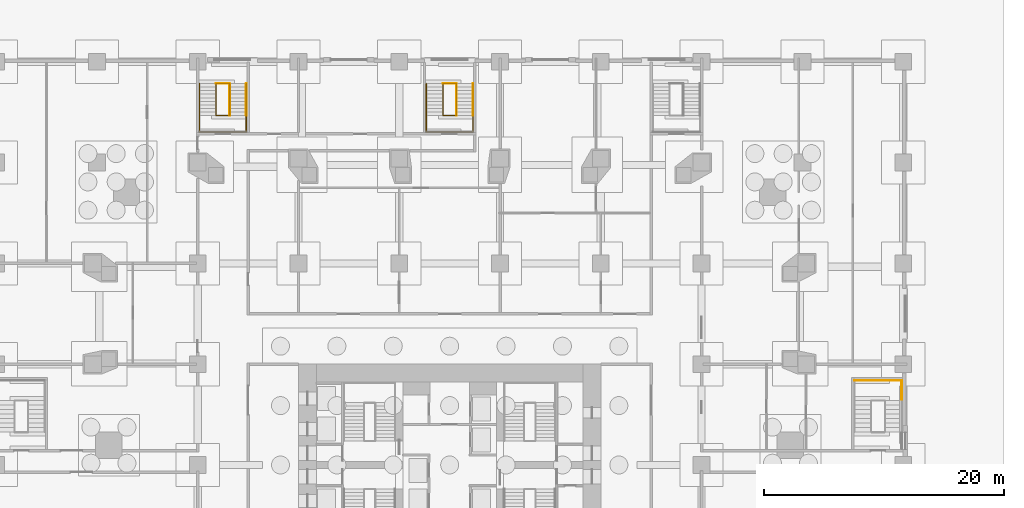
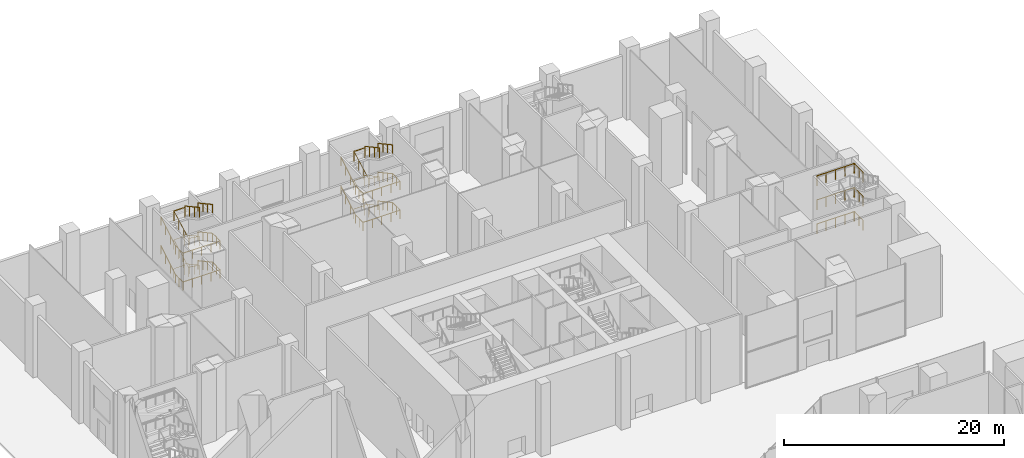
# One storey, part 29 of 31: 20 railings.
"""IFC4 building model written with IfcOpenShell, lengths in metres."""

from ifc_helpers import new_model, si_unit, direction, frame, origin, origin_2d, place, context, subcontext, project, spatial, circle, extrude, material, type_object, element, save


model = new_model("IFC4")

# Units and contexts
model_context = context("Model", 3, precision=1e-05, world=origin(), true_north=direction((0.0, 1.0)))
body_context = subcontext(model_context, "Body", "Model", "MODEL_VIEW")
ifc_project = project(units=[si_unit("LENGTHUNIT", "METRE"), si_unit("AREAUNIT", "SQUARE_METRE"), si_unit("VOLUMEUNIT", "CUBIC_METRE"), si_unit("PLANEANGLEUNIT", "RADIAN"), si_unit("MASSUNIT", "GRAM", prefix="KILO")], contexts=[model_context])

# Site, building, storey
site_placement = place(None, origin())
site = spatial("IfcSite", under=ifc_project, at=site_placement, CompositionType="ELEMENT")
building_placement = place(site_placement, origin())
building = spatial("IfcBuilding", under=site, at=building_placement, Name="Marenta Gate Hotel Tower", CompositionType="ELEMENT")
storey_placement = place(building_placement, origin())
storey = spatial("IfcBuildingStorey", under=building, at=storey_placement, Name="L00", CompositionType="ELEMENT", Elevation=0.0)

# Railings
ifc_material_1 = material(Name="Stainless steel", Category="steel")
railing_type_1 = type_object("IfcRailingType", Name="Core stair handrail 950", PredefinedType="HANDRAIL", material=ifc_material_1)
railing_1_placement = place(storey_placement, frame((-16.949951171875, 40.18505859375, 0.159912109375)))
element("IfcRailing", 1, at=railing_1_placement, inside=storey, type_object=railing_type_1, Name="HR-950 L00-KR-PX3-2", PredefinedType="HANDRAIL", context=body_context, shape_type="SweptSolid", body=[
    extrude(circle(Radius=0.02392578125, at=origin_2d()), frame((0.0, 0.0, 0.92578125), z_axis=(0.0, -0.879008314826, 0.476806441302), x_axis=(1.0, 0.0, 0.0)), (0.0, 0.0, 1.0), 3.0205078125),
    extrude(circle(Radius=0.02392578125, at=origin_2d()), frame((0.0, -2.655029296875, 2.3662109375), z_axis=(0.0, -1.0, 0.0), x_axis=(1.0, 0.0, 0.0)), (0.0, 0.0, 1.0), 1.380126953125),
    extrude(circle(Radius=0.02392578125, at=origin_2d()), frame((0.0, -4.03515625, 2.3662109375), z_axis=(-1.0, 0.0, 0.0), x_axis=(0.0, -1.0, 0.0)), (0.0, 0.0, 1.0), 3.900146484375),
    extrude(circle(Radius=0.02392578125, at=origin_2d()), frame((-3.900146484375, -4.03515625, 2.3662109375), z_axis=(0.0, 1.0, 0.0), x_axis=(-1.0, 0.0, 0.0)), (0.0, 0.0, 1.0), 1.380126953125),
    extrude(circle(Radius=0.02392578125, at=origin_2d()), frame((-3.900146484375, -2.655029296875, 2.3662109375), z_axis=(0.0, 0.856518470943, 0.516116371503), x_axis=(-1.0, 0.0, 0.0)), (0.0, 0.0, 1.0), 3.099853515625),
    extrude(circle(Radius=0.02099609375, at=origin_2d()), origin(), (0.0, 0.0, 1.0), 0.90185546875),
    extrude(circle(Radius=0.02099609375, at=origin_2d()), frame((0.0, -0.885009765625, 0.47998046875)), (0.0, 0.0, 1.0), 0.90185546875),
    extrude(circle(Radius=0.02099609375, at=origin_2d()), frame((0.0, -1.77001953125, 0.960205078125)), (0.0, 0.0, 1.0), 0.90185546875),
    extrude(circle(Radius=0.02099609375, at=origin_2d()), frame((0.0, -2.655029296875, 1.440185546875)), (0.0, 0.0, 1.0), 0.90185546875),
    extrude(circle(Radius=0.02099609375, at=origin_2d()), frame((0.0, -3.34521484375, 1.440185546875)), (0.0, 0.0, 1.0), 0.90185546875),
    extrude(circle(Radius=0.02099609375, at=origin_2d()), frame((0.0, -4.03515625, 1.440185546875)), (0.0, 0.0, 1.0), 0.90185546875),
    extrude(circle(Radius=0.02099609375, at=origin_2d()), frame((-0.97509765625, -4.03515625, 1.440185546875)), (0.0, 0.0, 1.0), 0.90185546875),
    extrude(circle(Radius=0.02099609375, at=origin_2d()), frame((-1.9501953125, -4.03515625, 1.440185546875)), (0.0, 0.0, 1.0), 0.90185546875),
    extrude(circle(Radius=0.02099609375, at=origin_2d()), frame((-2.925048828125, -4.03515625, 1.440185546875)), (0.0, 0.0, 1.0), 0.90185546875),
    extrude(circle(Radius=0.02099609375, at=origin_2d()), frame((-3.900146484375, -4.03515625, 1.440185546875)), (0.0, 0.0, 1.0), 0.90185546875),
    extrude(circle(Radius=0.02099609375, at=origin_2d()), frame((-3.900146484375, -3.34521484375, 1.440185546875)), (0.0, 0.0, 1.0), 0.90185546875),
    extrude(circle(Radius=0.02099609375, at=origin_2d()), frame((-3.900146484375, -2.655029296875, 1.440185546875)), (0.0, 0.0, 1.0), 0.90185546875),
    extrude(circle(Radius=0.02099609375, at=origin_2d()), frame((-3.900146484375, -1.77001953125, 1.973388671875)), (0.0, 0.0, 1.0), 0.90185546875),
    extrude(circle(Radius=0.02099609375, at=origin_2d()), frame((-3.900146484375, -0.885009765625, 2.5068359375)), (0.0, 0.0, 1.0), 0.90185546875),
    extrude(circle(Radius=0.02099609375, at=origin_2d()), frame((-3.900146484375, 0.0, 3.0400390625)), (0.0, 0.0, 1.0), 0.90185546875),
])
railing_2_placement = place(storey_placement, frame((-16.949951171875, 40.18505859375, 3.360107421875)))
element("IfcRailing", 2, at=railing_2_placement, inside=storey, type_object=railing_type_1, Name="HR-950 L00-KR-PX3-5", PredefinedType="HANDRAIL", context=body_context, shape_type="SweptSolid", body=[
    extrude(circle(Radius=0.02392578125, at=origin_2d()), frame((0.0, 0.0, 0.92578125), z_axis=(0.0, -0.879042190435, 0.476743985212), x_axis=(1.0, 0.0, 0.0)), (0.0, 0.0, 1.0), 3.020263671875),
    extrude(circle(Radius=0.02392578125, at=origin_2d()), frame((0.0, -2.655029296875, 2.36572265625), z_axis=(0.0, -1.0, 0.0), x_axis=(1.0, 0.0, 0.0)), (0.0, 0.0, 1.0), 1.380126953125),
    extrude(circle(Radius=0.02392578125, at=origin_2d()), frame((0.0, -4.03515625, 2.36572265625), z_axis=(-1.0, 0.0, 0.0), x_axis=(0.0, -1.0, 0.0)), (0.0, 0.0, 1.0), 3.900146484375),
    extrude(circle(Radius=0.02392578125, at=origin_2d()), frame((-3.900146484375, -4.03515625, 2.36572265625), z_axis=(0.0, 1.0, 0.0), x_axis=(-1.0, 0.0, 0.0)), (0.0, 0.0, 1.0), 1.380126953125),
    extrude(circle(Radius=0.02392578125, at=origin_2d()), frame((-3.900146484375, -2.655029296875, 2.36572265625), z_axis=(0.0, 0.856518470943, 0.516116371503), x_axis=(-1.0, 0.0, 0.0)), (0.0, 0.0, 1.0), 3.099853515625),
    extrude(circle(Radius=0.02099609375, at=origin_2d()), origin(), (0.0, 0.0, 1.0), 0.90185546875),
    extrude(circle(Radius=0.02099609375, at=origin_2d()), frame((0.0, -0.885009765625, 0.47998046875)), (0.0, 0.0, 1.0), 0.90185546875),
    extrude(circle(Radius=0.02099609375, at=origin_2d()), frame((0.0, -1.77001953125, 0.9599609375)), (0.0, 0.0, 1.0), 0.90185546875),
    extrude(circle(Radius=0.02099609375, at=origin_2d()), frame((0.0, -2.655029296875, 1.43994140625)), (0.0, 0.0, 1.0), 0.90185546875),
    extrude(circle(Radius=0.02099609375, at=origin_2d()), frame((0.0, -3.34521484375, 1.43994140625)), (0.0, 0.0, 1.0), 0.90185546875),
    extrude(circle(Radius=0.02099609375, at=origin_2d()), frame((0.0, -4.03515625, 1.43994140625)), (0.0, 0.0, 1.0), 0.90185546875),
    extrude(circle(Radius=0.02099609375, at=origin_2d()), frame((-0.97509765625, -4.03515625, 1.43994140625)), (0.0, 0.0, 1.0), 0.90185546875),
    extrude(circle(Radius=0.02099609375, at=origin_2d()), frame((-1.9501953125, -4.03515625, 1.43994140625)), (0.0, 0.0, 1.0), 0.90185546875),
    extrude(circle(Radius=0.02099609375, at=origin_2d()), frame((-2.925048828125, -4.03515625, 1.43994140625)), (0.0, 0.0, 1.0), 0.90185546875),
    extrude(circle(Radius=0.02099609375, at=origin_2d()), frame((-3.900146484375, -4.03515625, 1.43994140625)), (0.0, 0.0, 1.0), 0.90185546875),
    extrude(circle(Radius=0.02099609375, at=origin_2d()), frame((-3.900146484375, -3.34521484375, 1.43994140625)), (0.0, 0.0, 1.0), 0.90185546875),
    extrude(circle(Radius=0.02099609375, at=origin_2d()), frame((-3.900146484375, -2.655029296875, 1.43994140625)), (0.0, 0.0, 1.0), 0.90185546875),
    extrude(circle(Radius=0.02099609375, at=origin_2d()), frame((-3.900146484375, -1.77001953125, 1.97314453125)), (0.0, 0.0, 1.0), 0.90185546875),
    extrude(circle(Radius=0.02099609375, at=origin_2d()), frame((-3.900146484375, -0.885009765625, 2.506591796875)), (0.0, 0.0, 1.0), 0.90185546875),
    extrude(circle(Radius=0.02099609375, at=origin_2d()), frame((-3.900146484375, 0.0, 3.039794921875)), (0.0, 0.0, 1.0), 0.90185546875),
])
railing_3_placement = place(storey_placement, frame((-16.949951171875, 40.18505859375, 6.56005859375)))
element("IfcRailing", 3, at=railing_3_placement, inside=storey, type_object=railing_type_1, Name="HR-950 L00-KR-PX3-8", PredefinedType="HANDRAIL", context=body_context, shape_type="SweptSolid", body=[
    extrude(circle(Radius=0.02392578125, at=origin_2d()), frame((0.0, 0.0, 0.92578125), z_axis=(0.0, -0.879042190435, 0.476743985212), x_axis=(1.0, 0.0, 0.0)), (0.0, 0.0, 1.0), 3.020263671875),
    extrude(circle(Radius=0.02099609375, at=origin_2d()), origin(), (0.0, 0.0, 1.0), 0.90185546875),
    extrude(circle(Radius=0.02099609375, at=origin_2d()), frame((0.0, -0.885009765625, 0.47998046875)), (0.0, 0.0, 1.0), 0.90185546875),
    extrude(circle(Radius=0.02099609375, at=origin_2d()), frame((0.0, -1.77001953125, 0.9599609375)), (0.0, 0.0, 1.0), 0.90185546875),
    extrude(circle(Radius=0.02099609375, at=origin_2d()), frame((0.0, -2.655029296875, 1.43994140625)), (0.0, 0.0, 1.0), 0.90185546875),
])
railing_4_placement = place(storey_placement, frame((1.949951171875, 40.18505859375, 0.159912109375)))
element("IfcRailing", 4, at=railing_4_placement, inside=storey, type_object=railing_type_1, Name="HR-950 L00-KR-PX8-2", PredefinedType="HANDRAIL", context=body_context, shape_type="SweptSolid", body=[
    extrude(circle(Radius=0.02392578125, at=origin_2d()), frame((0.0, 0.0, 0.92578125), z_axis=(0.0, -0.879008314826, 0.476806441302), x_axis=(1.0, 0.0, 0.0)), (0.0, 0.0, 1.0), 3.0205078125),
    extrude(circle(Radius=0.02392578125, at=origin_2d()), frame((0.0, -2.655029296875, 2.3662109375), z_axis=(0.0, -1.0, 0.0), x_axis=(1.0, 0.0, 0.0)), (0.0, 0.0, 1.0), 1.380126953125),
    extrude(circle(Radius=0.02392578125, at=origin_2d()), frame((0.0, -4.03515625, 2.3662109375), z_axis=(-1.0, 0.0, 0.0), x_axis=(0.0, -1.0, 0.0)), (0.0, 0.0, 1.0), 3.89990234375),
    extrude(circle(Radius=0.02392578125, at=origin_2d()), frame((-3.89990234375, -4.03515625, 2.3662109375), z_axis=(0.0, 1.0, 0.0), x_axis=(-1.0, 0.0, 0.0)), (0.0, 0.0, 1.0), 1.380126953125),
    extrude(circle(Radius=0.02392578125, at=origin_2d()), frame((-3.89990234375, -2.655029296875, 2.3662109375), z_axis=(0.0, 0.856518470943, 0.516116371503), x_axis=(-1.0, 0.0, 0.0)), (0.0, 0.0, 1.0), 3.099853515625),
    extrude(circle(Radius=0.02099609375, at=origin_2d()), origin(), (0.0, 0.0, 1.0), 0.90185546875),
    extrude(circle(Radius=0.02099609375, at=origin_2d()), frame((0.0, -0.885009765625, 0.47998046875)), (0.0, 0.0, 1.0), 0.90185546875),
    extrude(circle(Radius=0.02099609375, at=origin_2d()), frame((0.0, -1.77001953125, 0.960205078125)), (0.0, 0.0, 1.0), 0.90185546875),
    extrude(circle(Radius=0.02099609375, at=origin_2d()), frame((0.0, -2.655029296875, 1.440185546875)), (0.0, 0.0, 1.0), 0.90185546875),
    extrude(circle(Radius=0.02099609375, at=origin_2d()), frame((0.0, -3.34521484375, 1.440185546875)), (0.0, 0.0, 1.0), 0.90185546875),
    extrude(circle(Radius=0.02099609375, at=origin_2d()), frame((0.0, -4.03515625, 1.440185546875)), (0.0, 0.0, 1.0), 0.90185546875),
    extrude(circle(Radius=0.02099609375, at=origin_2d()), frame((-0.97509765625, -4.03515625, 1.440185546875)), (0.0, 0.0, 1.0), 0.90185546875),
    extrude(circle(Radius=0.02099609375, at=origin_2d()), frame((-1.949951171875, -4.03515625, 1.440185546875)), (0.0, 0.0, 1.0), 0.90185546875),
    extrude(circle(Radius=0.02099609375, at=origin_2d()), frame((-2.9248046875, -4.03515625, 1.440185546875)), (0.0, 0.0, 1.0), 0.90185546875),
    extrude(circle(Radius=0.02099609375, at=origin_2d()), frame((-3.89990234375, -4.03515625, 1.440185546875)), (0.0, 0.0, 1.0), 0.90185546875),
    extrude(circle(Radius=0.02099609375, at=origin_2d()), frame((-3.89990234375, -3.34521484375, 1.440185546875)), (0.0, 0.0, 1.0), 0.90185546875),
    extrude(circle(Radius=0.02099609375, at=origin_2d()), frame((-3.89990234375, -2.655029296875, 1.440185546875)), (0.0, 0.0, 1.0), 0.90185546875),
    extrude(circle(Radius=0.02099609375, at=origin_2d()), frame((-3.89990234375, -1.77001953125, 1.973388671875)), (0.0, 0.0, 1.0), 0.90185546875),
    extrude(circle(Radius=0.02099609375, at=origin_2d()), frame((-3.89990234375, -0.885009765625, 2.5068359375)), (0.0, 0.0, 1.0), 0.90185546875),
    extrude(circle(Radius=0.02099609375, at=origin_2d()), frame((-3.89990234375, 0.0, 3.0400390625)), (0.0, 0.0, 1.0), 0.90185546875),
])
railing_5_placement = place(storey_placement, frame((1.949951171875, 40.18505859375, 3.360107421875)))
element("IfcRailing", 5, at=railing_5_placement, inside=storey, type_object=railing_type_1, Name="HR-950 L00-KR-PX8-5", PredefinedType="HANDRAIL", context=body_context, shape_type="SweptSolid", body=[
    extrude(circle(Radius=0.02392578125, at=origin_2d()), frame((0.0, 0.0, 0.92578125), z_axis=(0.0, -0.879042190435, 0.476743985212), x_axis=(1.0, 0.0, 0.0)), (0.0, 0.0, 1.0), 3.020263671875),
    extrude(circle(Radius=0.02392578125, at=origin_2d()), frame((0.0, -2.655029296875, 2.36572265625), z_axis=(0.0, -1.0, 0.0), x_axis=(1.0, 0.0, 0.0)), (0.0, 0.0, 1.0), 1.380126953125),
    extrude(circle(Radius=0.02392578125, at=origin_2d()), frame((0.0, -4.03515625, 2.36572265625), z_axis=(-1.0, 0.0, 0.0), x_axis=(0.0, -1.0, 0.0)), (0.0, 0.0, 1.0), 3.89990234375),
    extrude(circle(Radius=0.02392578125, at=origin_2d()), frame((-3.89990234375, -4.03515625, 2.36572265625), z_axis=(0.0, 1.0, 0.0), x_axis=(-1.0, 0.0, 0.0)), (0.0, 0.0, 1.0), 1.380126953125),
    extrude(circle(Radius=0.02392578125, at=origin_2d()), frame((-3.89990234375, -2.655029296875, 2.36572265625), z_axis=(0.0, 0.856518470943, 0.516116371503), x_axis=(-1.0, 0.0, 0.0)), (0.0, 0.0, 1.0), 3.099853515625),
    extrude(circle(Radius=0.02099609375, at=origin_2d()), origin(), (0.0, 0.0, 1.0), 0.90185546875),
    extrude(circle(Radius=0.02099609375, at=origin_2d()), frame((0.0, -0.885009765625, 0.47998046875)), (0.0, 0.0, 1.0), 0.90185546875),
    extrude(circle(Radius=0.02099609375, at=origin_2d()), frame((0.0, -1.77001953125, 0.9599609375)), (0.0, 0.0, 1.0), 0.90185546875),
    extrude(circle(Radius=0.02099609375, at=origin_2d()), frame((0.0, -2.655029296875, 1.43994140625)), (0.0, 0.0, 1.0), 0.90185546875),
    extrude(circle(Radius=0.02099609375, at=origin_2d()), frame((0.0, -3.34521484375, 1.43994140625)), (0.0, 0.0, 1.0), 0.90185546875),
    extrude(circle(Radius=0.02099609375, at=origin_2d()), frame((0.0, -4.03515625, 1.43994140625)), (0.0, 0.0, 1.0), 0.90185546875),
    extrude(circle(Radius=0.02099609375, at=origin_2d()), frame((-0.97509765625, -4.03515625, 1.43994140625)), (0.0, 0.0, 1.0), 0.90185546875),
    extrude(circle(Radius=0.02099609375, at=origin_2d()), frame((-1.949951171875, -4.03515625, 1.43994140625)), (0.0, 0.0, 1.0), 0.90185546875),
    extrude(circle(Radius=0.02099609375, at=origin_2d()), frame((-2.9248046875, -4.03515625, 1.43994140625)), (0.0, 0.0, 1.0), 0.90185546875),
    extrude(circle(Radius=0.02099609375, at=origin_2d()), frame((-3.89990234375, -4.03515625, 1.43994140625)), (0.0, 0.0, 1.0), 0.90185546875),
    extrude(circle(Radius=0.02099609375, at=origin_2d()), frame((-3.89990234375, -3.34521484375, 1.43994140625)), (0.0, 0.0, 1.0), 0.90185546875),
    extrude(circle(Radius=0.02099609375, at=origin_2d()), frame((-3.89990234375, -2.655029296875, 1.43994140625)), (0.0, 0.0, 1.0), 0.90185546875),
    extrude(circle(Radius=0.02099609375, at=origin_2d()), frame((-3.89990234375, -1.77001953125, 1.97314453125)), (0.0, 0.0, 1.0), 0.90185546875),
    extrude(circle(Radius=0.02099609375, at=origin_2d()), frame((-3.89990234375, -0.885009765625, 2.506591796875)), (0.0, 0.0, 1.0), 0.90185546875),
    extrude(circle(Radius=0.02099609375, at=origin_2d()), frame((-3.89990234375, 0.0, 3.039794921875)), (0.0, 0.0, 1.0), 0.90185546875),
])
railing_6_placement = place(storey_placement, frame((1.949951171875, 40.18505859375, 6.56005859375)))
element("IfcRailing", 6, at=railing_6_placement, inside=storey, type_object=railing_type_1, Name="HR-950 L00-KR-PX8-8", PredefinedType="HANDRAIL", context=body_context, shape_type="SweptSolid", body=[
    extrude(circle(Radius=0.02392578125, at=origin_2d()), frame((0.0, 0.0, 0.92578125), z_axis=(0.0, -0.879042190435, 0.476743985212), x_axis=(1.0, 0.0, 0.0)), (0.0, 0.0, 1.0), 3.020263671875),
    extrude(circle(Radius=0.02099609375, at=origin_2d()), origin(), (0.0, 0.0, 1.0), 0.90185546875),
    extrude(circle(Radius=0.02099609375, at=origin_2d()), frame((0.0, -0.885009765625, 0.47998046875)), (0.0, 0.0, 1.0), 0.90185546875),
    extrude(circle(Radius=0.02099609375, at=origin_2d()), frame((0.0, -1.77001953125, 0.9599609375)), (0.0, 0.0, 1.0), 0.90185546875),
    extrude(circle(Radius=0.02099609375, at=origin_2d()), frame((0.0, -2.655029296875, 1.43994140625)), (0.0, 0.0, 1.0), 0.90185546875),
])
ifc_material_2 = material(Name="Stainless steel", Category="steel")
railing_type_2 = type_object("IfcRailingType", Name="Core stair well guard 1100", PredefinedType="GUARDRAIL", material=ifc_material_2)
railing_7_placement = place(storey_placement, frame((-19.469970703125, 40.18505859375, 0.0)))
element("IfcRailing", 7, at=railing_7_placement, inside=storey, type_object=railing_type_2, Name="GR-1100 L00-KR-PX3-3", PredefinedType="GUARDRAIL", context=body_context, shape_type="SweptSolid", body=[
    extrude(circle(Radius=0.02392578125, at=origin_2d()), frame((0.0, 0.0, 1.076171875), z_axis=(1.0, 0.0, 0.0), x_axis=(0.0, 1.0, 0.0)), (0.0, 0.0, 1.0), 1.139892578125),
    extrude(circle(Radius=0.02392578125, at=origin_2d()), frame((1.139892578125, 0.0, 1.076171875), z_axis=(0.0, 0.0, 1.0), x_axis=(1.0, 0.0, 0.0)), (0.0, 0.0, 1.0), 0.159912109375),
    extrude(circle(Radius=0.02392578125, at=origin_2d()), frame((1.139892578125, 0.0, 1.23583984375), z_axis=(0.0, -0.879008314826, 0.476806441302), x_axis=(1.0, 0.0, 0.0)), (0.0, 0.0, 1.0), 3.0205078125),
    extrude(circle(Radius=0.02392578125, at=origin_2d()), frame((1.139892578125, -2.655029296875, 2.67626953125), z_axis=(-0.990302682069, 0.0, 0.138926591723), x_axis=(0.0, -1.0, 0.0)), (0.0, 0.0, 1.0), 1.151123046875),
    extrude(circle(Radius=0.02392578125, at=origin_2d()), frame((0.0, -2.655029296875, 2.8359375), z_axis=(0.0, 0.879042190435, 0.476743985212), x_axis=(-1.0, 0.0, 0.0)), (0.0, 0.0, 1.0), 3.020263671875),
    extrude(circle(Radius=0.02099609375, at=origin_2d()), origin(), (0.0, 0.0, 1.0), 1.052001953125),
    extrude(circle(Radius=0.02099609375, at=origin_2d()), frame((1.139892578125, 0.0, 0.0)), (0.0, 0.0, 1.0), 1.052001953125),
    extrude(circle(Radius=0.02099609375, at=origin_2d()), frame((1.139892578125, 0.0, 0.159912109375)), (0.0, 0.0, 1.0), 1.052001953125),
    extrude(circle(Radius=0.02099609375, at=origin_2d()), frame((1.139892578125, -0.885009765625, 0.639892578125)), (0.0, 0.0, 1.0), 1.052001953125),
    extrude(circle(Radius=0.02099609375, at=origin_2d()), frame((1.139892578125, -1.77001953125, 1.1201171875)), (0.0, 0.0, 1.0), 1.052001953125),
    extrude(circle(Radius=0.02099609375, at=origin_2d()), frame((1.139892578125, -2.655029296875, 1.60009765625)), (0.0, 0.0, 1.0), 1.052001953125),
    extrude(circle(Radius=0.02099609375, at=origin_2d()), frame((0.0, -2.655029296875, 1.760009765625)), (0.0, 0.0, 1.0), 1.052001953125),
    extrude(circle(Radius=0.02099609375, at=origin_2d()), frame((0.0, -1.77001953125, 2.239990234375)), (0.0, 0.0, 1.0), 1.052001953125),
    extrude(circle(Radius=0.02099609375, at=origin_2d()), frame((0.0, -0.885009765625, 2.719970703125)), (0.0, 0.0, 1.0), 1.052001953125),
    extrude(circle(Radius=0.02099609375, at=origin_2d()), frame((0.0, 0.0, 3.199951171875)), (0.0, 0.0, 1.0), 1.052001953125),
])
railing_8_placement = place(storey_placement, frame((-19.469970703125, 40.18505859375, 3.199951171875)))
element("IfcRailing", 8, at=railing_8_placement, inside=storey, type_object=railing_type_2, Name="GR-1100 L00-KR-PX3-6", PredefinedType="GUARDRAIL", context=body_context, shape_type="SweptSolid", body=[
    extrude(circle(Radius=0.02392578125, at=origin_2d()), frame((0.0, 0.0, 1.076171875), z_axis=(1.0, 0.0, 0.0), x_axis=(0.0, 1.0, 0.0)), (0.0, 0.0, 1.0), 1.139892578125),
    extrude(circle(Radius=0.02392578125, at=origin_2d()), frame((1.139892578125, 0.0, 1.076171875), z_axis=(0.0, 0.0, 1.0), x_axis=(1.0, 0.0, 0.0)), (0.0, 0.0, 1.0), 0.16015625),
    extrude(circle(Radius=0.02392578125, at=origin_2d()), frame((1.139892578125, 0.0, 1.236328125), z_axis=(0.0, -0.879042190435, 0.476743985212), x_axis=(1.0, 0.0, 0.0)), (0.0, 0.0, 1.0), 3.020263671875),
    extrude(circle(Radius=0.02392578125, at=origin_2d()), frame((1.139892578125, -2.655029296875, 2.67626953125), z_axis=(-0.990302682069, 0.0, 0.138926591723), x_axis=(0.0, -1.0, 0.0)), (0.0, 0.0, 1.0), 1.151123046875),
    extrude(circle(Radius=0.02392578125, at=origin_2d()), frame((0.0, -2.655029296875, 2.8359375), z_axis=(0.0, 0.879042190435, 0.476743985212), x_axis=(-1.0, 0.0, 0.0)), (0.0, 0.0, 1.0), 3.020263671875),
    extrude(circle(Radius=0.02099609375, at=origin_2d()), origin(), (0.0, 0.0, 1.0), 1.052001953125),
    extrude(circle(Radius=0.02099609375, at=origin_2d()), frame((1.139892578125, 0.0, 0.0)), (0.0, 0.0, 1.0), 1.052001953125),
    extrude(circle(Radius=0.02099609375, at=origin_2d()), frame((1.139892578125, 0.0, 0.16015625)), (0.0, 0.0, 1.0), 1.052001953125),
    extrude(circle(Radius=0.02099609375, at=origin_2d()), frame((1.139892578125, -0.885009765625, 0.64013671875)), (0.0, 0.0, 1.0), 1.052001953125),
    extrude(circle(Radius=0.02099609375, at=origin_2d()), frame((1.139892578125, -1.77001953125, 1.1201171875)), (0.0, 0.0, 1.0), 1.052001953125),
    extrude(circle(Radius=0.02099609375, at=origin_2d()), frame((1.139892578125, -2.655029296875, 1.60009765625)), (0.0, 0.0, 1.0), 1.052001953125),
    extrude(circle(Radius=0.02099609375, at=origin_2d()), frame((0.0, -2.655029296875, 1.760009765625)), (0.0, 0.0, 1.0), 1.052001953125),
    extrude(circle(Radius=0.02099609375, at=origin_2d()), frame((0.0, -1.77001953125, 2.239990234375)), (0.0, 0.0, 1.0), 1.052001953125),
    extrude(circle(Radius=0.02099609375, at=origin_2d()), frame((0.0, -0.885009765625, 2.719970703125)), (0.0, 0.0, 1.0), 1.052001953125),
    extrude(circle(Radius=0.02099609375, at=origin_2d()), frame((0.0, 0.0, 3.199951171875)), (0.0, 0.0, 1.0), 1.052001953125),
])
railing_9_placement = place(storey_placement, frame((-19.469970703125, 40.18505859375, 6.39990234375)))
element("IfcRailing", 9, at=railing_9_placement, inside=storey, type_object=railing_type_2, Name="GR-1100 L00-KR-PX3-7", PredefinedType="GUARDRAIL", context=body_context, shape_type="SweptSolid", body=[
    extrude(circle(Radius=0.02392578125, at=origin_2d()), frame((0.0, 0.0, 1.076171875), z_axis=(1.0, 0.0, 0.0), x_axis=(0.0, 1.0, 0.0)), (0.0, 0.0, 1.0), 1.139892578125),
    extrude(circle(Radius=0.02099609375, at=origin_2d()), origin(), (0.0, 0.0, 1.0), 1.052001953125),
    extrude(circle(Radius=0.02099609375, at=origin_2d()), frame((1.139892578125, 0.0, 0.0)), (0.0, 0.0, 1.0), 1.052001953125),
])
railing_10_placement = place(storey_placement, frame((-18.330078125, 40.18505859375, 6.56005859375)))
element("IfcRailing", 10, at=railing_10_placement, inside=storey, type_object=railing_type_2, Name="GR-1100 L00-KR-PX3-9", PredefinedType="GUARDRAIL", context=body_context, shape_type="SweptSolid", body=[
    extrude(circle(Radius=0.02392578125, at=origin_2d()), frame((0.0, 0.0, 1.076171875), z_axis=(0.0, -0.879042190435, 0.476743985212), x_axis=(1.0, 0.0, 0.0)), (0.0, 0.0, 1.0), 3.020263671875),
    extrude(circle(Radius=0.02099609375, at=origin_2d()), origin(), (0.0, 0.0, 1.0), 1.052001953125),
    extrude(circle(Radius=0.02099609375, at=origin_2d()), frame((0.0, -0.885009765625, 0.47998046875)), (0.0, 0.0, 1.0), 1.052001953125),
    extrude(circle(Radius=0.02099609375, at=origin_2d()), frame((0.0, -1.77001953125, 0.9599609375)), (0.0, 0.0, 1.0), 1.052001953125),
    extrude(circle(Radius=0.02099609375, at=origin_2d()), frame((0.0, -2.655029296875, 1.43994140625)), (0.0, 0.0, 1.0), 1.052001953125),
])
for number, where, name in (
    (11, (33.75, 15.449951171875, 1.333251953125), "GR-1100 L00-KR-PX7-1"),
    (12, (33.75, 15.449951171875, 4.0), "GR-1100 L00-KR-PX7-4"),
    (13, (33.75, 15.449951171875, 6.666748046875), "GR-1100 L00-KR-PX7-7"),
):
    element("IfcRailing", number, at=place(storey_placement, frame(where)), inside=storey, type_object=railing_type_2, Name=name, PredefinedType="GUARDRAIL", context=body_context, shape_type="SweptSolid", body=[
        extrude(circle(Radius=0.02392578125, at=origin_2d()), frame((0.0, 0.0, 1.076171875), z_axis=(1.0, 0.0, 0.0), x_axis=(0.0, 1.0, 0.0)), (0.0, 0.0, 1.0), 3.89990234375),
        extrude(circle(Radius=0.02099609375, at=origin_2d()), origin(), (0.0, 0.0, 1.0), 1.052001953125),
        extrude(circle(Radius=0.02099609375, at=origin_2d()), frame((0.97509765625, 0.0, 0.0)), (0.0, 0.0, 1.0), 1.052001953125),
        extrude(circle(Radius=0.02099609375, at=origin_2d()), frame((1.949951171875, 0.0, 0.0)), (0.0, 0.0, 1.0), 1.052001953125),
        extrude(circle(Radius=0.02099609375, at=origin_2d()), frame((2.9248046875, 0.0, 0.0)), (0.0, 0.0, 1.0), 1.052001953125),
        extrude(circle(Radius=0.02099609375, at=origin_2d()), frame((3.89990234375, 0.0, 0.0)), (0.0, 0.0, 1.0), 1.052001953125),
    ])
for number, where, name in (
    (14, (37.679931640625, 13.840087890625, 1.333251953125), "GR-1100 L00-KR-PX7-10"),
    (15, (37.679931640625, 13.840087890625, 4.0), "GR-1100 L00-KR-PX7-12"),
    (16, (37.679931640625, 13.840087890625, 6.666748046875), "GR-1100 L00-KR-PX7-14"),
):
    element("IfcRailing", number, at=place(storey_placement, frame(where)), inside=storey, type_object=railing_type_2, Name=name, PredefinedType="GUARDRAIL", context=body_context, shape_type="SweptSolid", body=[
        extrude(circle(Radius=0.02392578125, at=origin_2d()), frame((0.0, 0.0, 1.076171875), z_axis=(0.0, 1.0, 0.0), x_axis=(-1.0, 0.0, 0.0)), (0.0, 0.0, 1.0), 1.60986328125),
        extrude(circle(Radius=0.02099609375, at=origin_2d()), origin(), (0.0, 0.0, 1.0), 1.052001953125),
        extrude(circle(Radius=0.02099609375, at=origin_2d()), frame((0.0, 0.804931640625, 0.0)), (0.0, 0.0, 1.0), 1.052001953125),
        extrude(circle(Radius=0.02099609375, at=origin_2d()), frame((0.0, 1.60986328125, 0.0)), (0.0, 0.0, 1.0), 1.052001953125),
    ])
railing_11_placement = place(storey_placement, frame((-0.570068359375, 40.18505859375, 0.0)))
element("IfcRailing", 17, at=railing_11_placement, inside=storey, type_object=railing_type_2, Name="GR-1100 L00-KR-PX8-3", PredefinedType="GUARDRAIL", context=body_context, shape_type="SweptSolid", body=[
    extrude(circle(Radius=0.02392578125, at=origin_2d()), frame((0.0, 0.0, 1.076171875), z_axis=(1.0, 0.0, 0.0), x_axis=(0.0, 1.0, 0.0)), (0.0, 0.0, 1.0), 1.14013671875),
    extrude(circle(Radius=0.02392578125, at=origin_2d()), frame((1.14013671875, 0.0, 1.076171875), z_axis=(0.0, 0.0, 1.0), x_axis=(1.0, 0.0, 0.0)), (0.0, 0.0, 1.0), 0.159912109375),
    extrude(circle(Radius=0.02392578125, at=origin_2d()), frame((1.14013671875, 0.0, 1.23583984375), z_axis=(0.0, -0.879008314826, 0.476806441302), x_axis=(1.0, 0.0, 0.0)), (0.0, 0.0, 1.0), 3.0205078125),
    extrude(circle(Radius=0.02392578125, at=origin_2d()), frame((1.14013671875, -2.655029296875, 2.67626953125), z_axis=(-0.990306774468, 0.0, 0.138897416976), x_axis=(0.0, -1.0, 0.0)), (0.0, 0.0, 1.0), 1.1513671875),
    extrude(circle(Radius=0.02392578125, at=origin_2d()), frame((0.0, -2.655029296875, 2.8359375), z_axis=(0.0, 0.879042190435, 0.476743985212), x_axis=(-1.0, 0.0, 0.0)), (0.0, 0.0, 1.0), 3.020263671875),
    extrude(circle(Radius=0.02099609375, at=origin_2d()), origin(), (0.0, 0.0, 1.0), 1.052001953125),
    extrude(circle(Radius=0.02099609375, at=origin_2d()), frame((1.14013671875, 0.0, 0.0)), (0.0, 0.0, 1.0), 1.052001953125),
    extrude(circle(Radius=0.02099609375, at=origin_2d()), frame((1.14013671875, 0.0, 0.159912109375)), (0.0, 0.0, 1.0), 1.052001953125),
    extrude(circle(Radius=0.02099609375, at=origin_2d()), frame((1.14013671875, -0.885009765625, 0.639892578125)), (0.0, 0.0, 1.0), 1.052001953125),
    extrude(circle(Radius=0.02099609375, at=origin_2d()), frame((1.14013671875, -1.77001953125, 1.1201171875)), (0.0, 0.0, 1.0), 1.052001953125),
    extrude(circle(Radius=0.02099609375, at=origin_2d()), frame((1.14013671875, -2.655029296875, 1.60009765625)), (0.0, 0.0, 1.0), 1.052001953125),
    extrude(circle(Radius=0.02099609375, at=origin_2d()), frame((0.0, -2.655029296875, 1.760009765625)), (0.0, 0.0, 1.0), 1.052001953125),
    extrude(circle(Radius=0.02099609375, at=origin_2d()), frame((0.0, -1.77001953125, 2.239990234375)), (0.0, 0.0, 1.0), 1.052001953125),
    extrude(circle(Radius=0.02099609375, at=origin_2d()), frame((0.0, -0.885009765625, 2.719970703125)), (0.0, 0.0, 1.0), 1.052001953125),
    extrude(circle(Radius=0.02099609375, at=origin_2d()), frame((0.0, 0.0, 3.199951171875)), (0.0, 0.0, 1.0), 1.052001953125),
])
railing_12_placement = place(storey_placement, frame((-0.570068359375, 40.18505859375, 3.199951171875)))
element("IfcRailing", 18, at=railing_12_placement, inside=storey, type_object=railing_type_2, Name="GR-1100 L00-KR-PX8-6", PredefinedType="GUARDRAIL", context=body_context, shape_type="SweptSolid", body=[
    extrude(circle(Radius=0.02392578125, at=origin_2d()), frame((0.0, 0.0, 1.076171875), z_axis=(1.0, 0.0, 0.0), x_axis=(0.0, 1.0, 0.0)), (0.0, 0.0, 1.0), 1.14013671875),
    extrude(circle(Radius=0.02392578125, at=origin_2d()), frame((1.14013671875, 0.0, 1.076171875), z_axis=(0.0, 0.0, 1.0), x_axis=(1.0, 0.0, 0.0)), (0.0, 0.0, 1.0), 0.16015625),
    extrude(circle(Radius=0.02392578125, at=origin_2d()), frame((1.14013671875, 0.0, 1.236328125), z_axis=(0.0, -0.879042190435, 0.476743985212), x_axis=(1.0, 0.0, 0.0)), (0.0, 0.0, 1.0), 3.020263671875),
    extrude(circle(Radius=0.02392578125, at=origin_2d()), frame((1.14013671875, -2.655029296875, 2.67626953125), z_axis=(-0.990306774468, 0.0, 0.138897416976), x_axis=(0.0, -1.0, 0.0)), (0.0, 0.0, 1.0), 1.1513671875),
    extrude(circle(Radius=0.02392578125, at=origin_2d()), frame((0.0, -2.655029296875, 2.8359375), z_axis=(0.0, 0.879042190435, 0.476743985212), x_axis=(-1.0, 0.0, 0.0)), (0.0, 0.0, 1.0), 3.020263671875),
    extrude(circle(Radius=0.02099609375, at=origin_2d()), origin(), (0.0, 0.0, 1.0), 1.052001953125),
    extrude(circle(Radius=0.02099609375, at=origin_2d()), frame((1.14013671875, 0.0, 0.0)), (0.0, 0.0, 1.0), 1.052001953125),
    extrude(circle(Radius=0.02099609375, at=origin_2d()), frame((1.14013671875, 0.0, 0.16015625)), (0.0, 0.0, 1.0), 1.052001953125),
    extrude(circle(Radius=0.02099609375, at=origin_2d()), frame((1.14013671875, -0.885009765625, 0.64013671875)), (0.0, 0.0, 1.0), 1.052001953125),
    extrude(circle(Radius=0.02099609375, at=origin_2d()), frame((1.14013671875, -1.77001953125, 1.1201171875)), (0.0, 0.0, 1.0), 1.052001953125),
    extrude(circle(Radius=0.02099609375, at=origin_2d()), frame((1.14013671875, -2.655029296875, 1.60009765625)), (0.0, 0.0, 1.0), 1.052001953125),
    extrude(circle(Radius=0.02099609375, at=origin_2d()), frame((0.0, -2.655029296875, 1.760009765625)), (0.0, 0.0, 1.0), 1.052001953125),
    extrude(circle(Radius=0.02099609375, at=origin_2d()), frame((0.0, -1.77001953125, 2.239990234375)), (0.0, 0.0, 1.0), 1.052001953125),
    extrude(circle(Radius=0.02099609375, at=origin_2d()), frame((0.0, -0.885009765625, 2.719970703125)), (0.0, 0.0, 1.0), 1.052001953125),
    extrude(circle(Radius=0.02099609375, at=origin_2d()), frame((0.0, 0.0, 3.199951171875)), (0.0, 0.0, 1.0), 1.052001953125),
])
railing_13_placement = place(storey_placement, frame((-0.570068359375, 40.18505859375, 6.39990234375)))
element("IfcRailing", 19, at=railing_13_placement, inside=storey, type_object=railing_type_2, Name="GR-1100 L00-KR-PX8-7", PredefinedType="GUARDRAIL", context=body_context, shape_type="SweptSolid", body=[
    extrude(circle(Radius=0.02392578125, at=origin_2d()), frame((0.0, 0.0, 1.076171875), z_axis=(1.0, 0.0, 0.0), x_axis=(0.0, 1.0, 0.0)), (0.0, 0.0, 1.0), 1.14013671875),
    extrude(circle(Radius=0.02099609375, at=origin_2d()), origin(), (0.0, 0.0, 1.0), 1.052001953125),
    extrude(circle(Radius=0.02099609375, at=origin_2d()), frame((1.14013671875, 0.0, 0.0)), (0.0, 0.0, 1.0), 1.052001953125),
])
railing_14_placement = place(storey_placement, frame((0.570068359375, 40.18505859375, 6.56005859375)))
element("IfcRailing", 20, at=railing_14_placement, inside=storey, type_object=railing_type_2, Name="GR-1100 L00-KR-PX8-9", PredefinedType="GUARDRAIL", context=body_context, shape_type="SweptSolid", body=[
    extrude(circle(Radius=0.02392578125, at=origin_2d()), frame((0.0, 0.0, 1.076171875), z_axis=(0.0, -0.879042190435, 0.476743985212), x_axis=(1.0, 0.0, 0.0)), (0.0, 0.0, 1.0), 3.020263671875),
    extrude(circle(Radius=0.02099609375, at=origin_2d()), origin(), (0.0, 0.0, 1.0), 1.052001953125),
    extrude(circle(Radius=0.02099609375, at=origin_2d()), frame((0.0, -0.885009765625, 0.47998046875)), (0.0, 0.0, 1.0), 1.052001953125),
    extrude(circle(Radius=0.02099609375, at=origin_2d()), frame((0.0, -1.77001953125, 0.9599609375)), (0.0, 0.0, 1.0), 1.052001953125),
    extrude(circle(Radius=0.02099609375, at=origin_2d()), frame((0.0, -2.655029296875, 1.43994140625)), (0.0, 0.0, 1.0), 1.052001953125),
])

save(model, "model.ifc")
